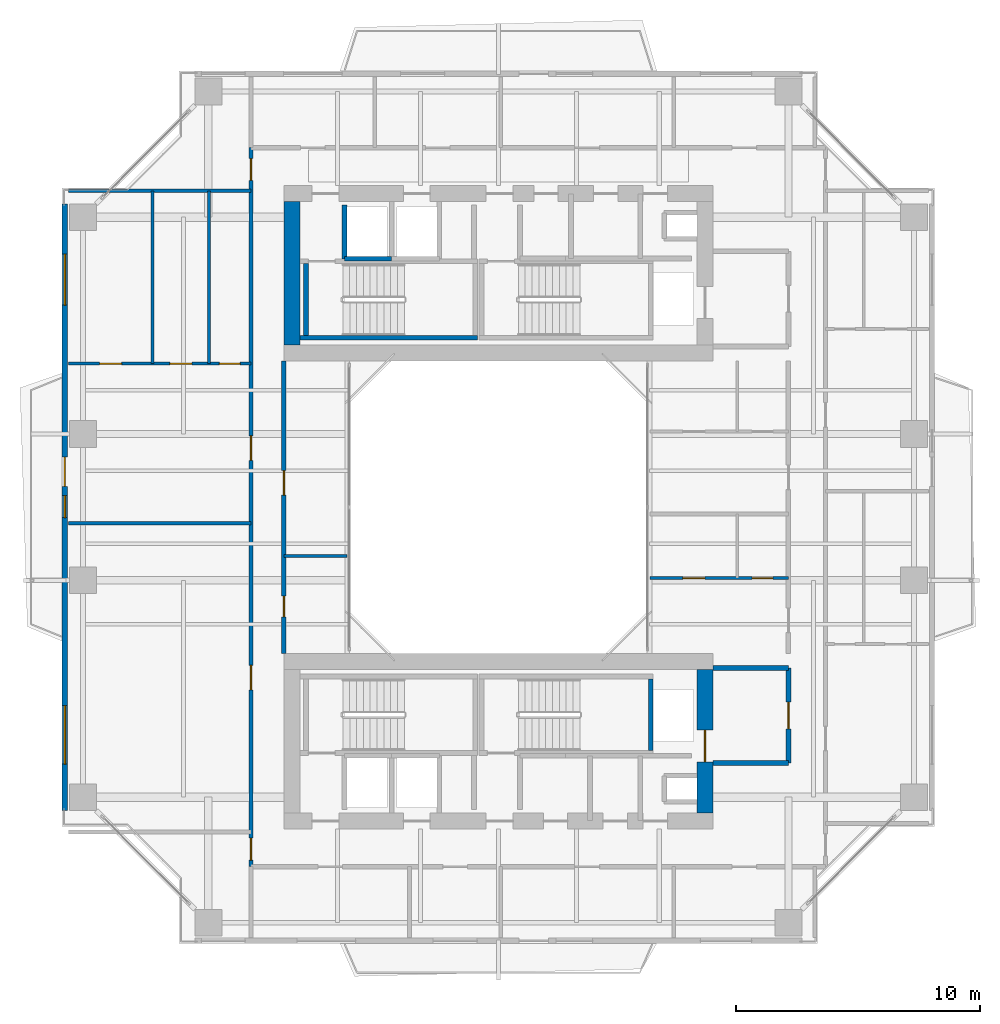
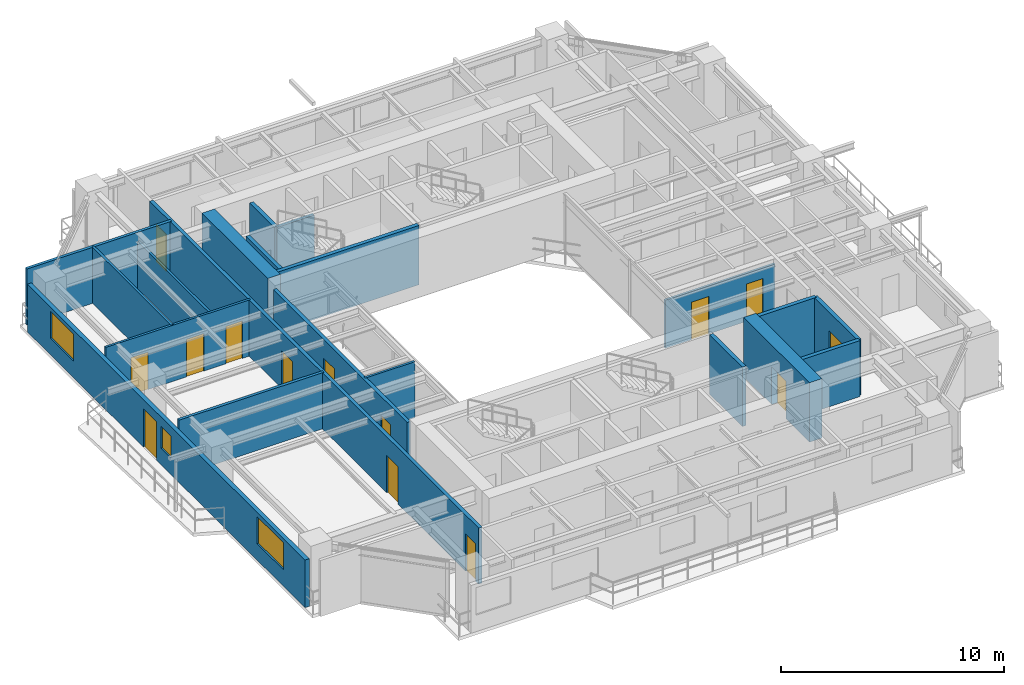
# One storey, part 11 of 17: 20 walls, 14 doors, 3 windows, 17 openings.
"""IFC4 building model written with IfcOpenShell, lengths in metres."""

from ifc_helpers import new_model, si_unit, direction, frame, frame_2d, origin, place, context, subcontext, project, spatial, rectangle, extrude, source, transform, mapped, material, layer, layer_set, type_object, element, fill, save


model = new_model("IFC4")

# Units and contexts
model_context = context("Model", 3, precision=1e-05, world=origin(), true_north=direction((0.0, 1.0)))
body_context = subcontext(model_context, "Body", "Model", "MODEL_VIEW")
ifc_project = project(units=[si_unit("LENGTHUNIT", "METRE"), si_unit("AREAUNIT", "SQUARE_METRE"), si_unit("VOLUMEUNIT", "CUBIC_METRE"), si_unit("PLANEANGLEUNIT", "RADIAN"), si_unit("MASSUNIT", "GRAM", prefix="KILO"), si_unit("THERMODYNAMICTEMPERATUREUNIT", "KELVIN"), si_unit("POWERUNIT", "WATT")], contexts=[model_context])

# Site, building, storey
site_placement = place(None, origin())
site = spatial("IfcSite", under=ifc_project, at=site_placement, CompositionType="ELEMENT")
building_placement = place(site_placement, origin())
building = spatial("IfcBuilding", under=site, at=building_placement, Name="Qiaomeng Ring Towers", CompositionType="ELEMENT")
storey_placement = place(building_placement, frame((0.0, 0.0, 119.75)))
storey = spatial("IfcBuildingStorey", under=building, at=storey_placement, Name="L34", CompositionType="ELEMENT", Elevation=119.75)

# Wall, openings, windows, door
ifc_material_1 = material(Name="Precast concrete C40", Category="concrete")
ifc_layer_1 = layer(ifc_material_1, 0.219970703125, Name="Precast concrete C40")
ifc_layer_set_1 = layer_set([ifc_layer_1], Name="Precast concrete C40")
wall_type_1 = type_object("IfcWallType", Name="ARC-WL-EW2", PredefinedType="STANDARD", material=ifc_layer_set_1)
wall_1_placement = place(storey_placement, frame((1.2099609375, 10.550048828125, 0.0), z_axis=(0.0, 0.0, 1.0), x_axis=(0.0, 1.0, 0.0)))
wall_1 = element("IfcWall", 1, at=wall_1_placement, inside=storey, type_object=wall_type_1, Name="L34 Tower 1 W Exterior Wall", PredefinedType="STANDARD", context=body_context, shape_type="SweptSolid", body=[
    extrude(rectangle(XDim=24.89990234375, YDim=0.219970703125, at=frame_2d((12.449951171875, 0.0))), origin(), (0.0, 0.0, 1.0), 2.610107421875),
])
opening_1_placement = place(wall_1_placement, frame((13.300048828125, 0.0, 0.0)))
opening_1 = element("IfcOpeningElement", 2, at=opening_1_placement, cuts=wall_1, Name="Opening BD1", PredefinedType="OPENING", context=body_context, shape_type="SweptSolid", body=[
    extrude(rectangle(XDim=1.199951171875, YDim=2.10009765625, at=frame_2d((0.60009765625, 1.050048828125))), frame((0.0, 0.119873046875, 0.0), z_axis=(0.0, -1.0, 0.0), x_axis=(1.0, 0.0, 0.0)), (0.0, 0.0, 1.0), 0.239990234375),
])
opening_2_placement = place(wall_1_placement, frame((1.912109375, 0.0, 0.89990234375)))
opening_2 = element("IfcOpeningElement", 3, at=opening_2_placement, cuts=wall_1, Name="Opening WN6", PredefinedType="OPENING", context=body_context, shape_type="SweptSolid", body=[
    extrude(rectangle(XDim=2.39990234375, YDim=1.47998046875, at=frame_2d((1.199951171875, 0.739990234375))), frame((0.0, 0.119873046875, 0.0), z_axis=(0.0, -1.0, 0.0), x_axis=(1.0, 0.0, 0.0)), (0.0, 0.0, 1.0), 0.239990234375),
])
opening_3_placement = place(wall_1_placement, frame((20.737060546875, 0.0, 0.89990234375)))
opening_3 = element("IfcOpeningElement", 4, at=opening_3_placement, cuts=wall_1, Name="Opening WN4", PredefinedType="OPENING", context=body_context, shape_type="SweptSolid", body=[
    extrude(rectangle(XDim=2.10009765625, YDim=1.47998046875, at=frame_2d((1.050048828125, 0.739990234375))), frame((0.0, 0.119873046875, 0.0), z_axis=(0.0, -1.0, 0.0), x_axis=(1.0, 0.0, 0.0)), (0.0, 0.0, 1.0), 0.239990234375),
])
opening_4_placement = place(wall_1_placement, frame((12.02490234375, 0.0, 0.89990234375)))
opening_4 = element("IfcOpeningElement", 5, at=opening_4_placement, cuts=wall_1, Name="Opening WN5", PredefinedType="OPENING", context=body_context, shape_type="SweptSolid", body=[
    extrude(rectangle(XDim=0.89990234375, YDim=1.199951171875, at=frame_2d((0.449951171875, 0.60009765625))), frame((0.0, 0.119873046875, 0.0), z_axis=(0.0, -1.0, 0.0), x_axis=(1.0, 0.0, 0.0)), (0.0, 0.0, 1.0), 0.239990234375),
])
ifc_material_2 = material(Name="Low-E dark-grey laminated double glazing", Category="glass")
window_type_1 = type_object("IfcWindowType", Name="ARC-WN-4", PartitioningType="TRIPLE_PANEL_VERTICAL", PredefinedType="WINDOW", material=ifc_material_2)
shared_shape_1 = source(origin(), body_context, "Body", "SweptSolid", [
    extrude(rectangle(XDim=2.10009765625, YDim=1.47998046875, at=frame_2d((1.050048828125, 0.739990234375))), frame((0.0, 0.030029296875, 0.0), z_axis=(0.0, -1.0, 0.0), x_axis=(1.0, 0.0, 0.0)), (0.0, 0.0, 1.0), 0.06005859375),
])
window_1_placement = place(opening_3_placement, origin())
window_1 = element("IfcWindow", 6, at=window_1_placement, inside=storey, type_object=window_type_1, Name="L34 Exterior Window WN4", OverallHeight=1.47998046875, OverallWidth=2.10009765625, PartitioningType="TRIPLE_PANEL_VERTICAL", PredefinedType="WINDOW", context=body_context, shape_type="MappedRepresentation", body=[
    mapped(shared_shape_1, transform((0.0, 0.0, 0.0), x_axis=(1.0, 0.0, 0.0), y_axis=(0.0, 1.0, 0.0), z_axis=(0.0, 0.0, 1.0), scale=1.0)),
])
fill(opening_3, window_1)
window_type_2 = type_object("IfcWindowType", Name="ARC-WN-6", PartitioningType="TRIPLE_PANEL_VERTICAL", PredefinedType="WINDOW", material=ifc_material_2)
shared_shape_2 = source(origin(), body_context, "Body", "SweptSolid", [
    extrude(rectangle(XDim=2.39990234375, YDim=1.47998046875, at=frame_2d((1.199951171875, 0.739990234375))), frame((0.0, 0.030029296875, 0.0), z_axis=(0.0, -1.0, 0.0), x_axis=(1.0, 0.0, 0.0)), (0.0, 0.0, 1.0), 0.06005859375),
])
window_2_placement = place(opening_2_placement, origin())
window_2 = element("IfcWindow", 7, at=window_2_placement, inside=storey, type_object=window_type_2, Name="L34 Exterior Window WN6", OverallHeight=1.47998046875, OverallWidth=2.39990234375, PartitioningType="TRIPLE_PANEL_VERTICAL", PredefinedType="WINDOW", context=body_context, shape_type="MappedRepresentation", body=[
    mapped(shared_shape_2, transform((0.0, 0.0, 0.0), x_axis=(1.0, 0.0, 0.0), y_axis=(0.0, 1.0, 0.0), z_axis=(0.0, 0.0, 1.0), scale=1.0)),
])
fill(opening_2, window_2)
door_type_1 = type_object("IfcDoorType", Name="ARC-DR-BD1", OperationType="NOTDEFINED", PredefinedType="DOOR", material=ifc_material_2)
shared_shape_3 = source(origin(), body_context, "Body", "SweptSolid", [
    extrude(rectangle(XDim=1.199951171875, YDim=2.10009765625, at=frame_2d((0.60009765625, 1.050048828125))), frame((0.0, 0.02490234375, 0.0), z_axis=(0.0, -1.0, 0.0), x_axis=(1.0, 0.0, 0.0)), (0.0, 0.0, 1.0), 0.050048828125),
])
door_1_placement = place(opening_1_placement, frame((1.199951171875, 0.0, 0.0), z_axis=(0.0, 0.0, 1.0), x_axis=(-1.0, 0.0, 0.0)))
door_1 = element("IfcDoor", 8, at=door_1_placement, inside=storey, type_object=door_type_1, Name="L34 W Balcony Glazed Door", OperationType="SINGLE_SWING_LEFT", OverallHeight=2.10009765625, OverallWidth=1.199951171875, PredefinedType="DOOR", context=body_context, shape_type="MappedRepresentation", body=[
    mapped(shared_shape_3, transform((0.0, 0.0, 0.0), x_axis=(1.0, 0.0, 0.0), y_axis=(0.0, 1.0, 0.0), z_axis=(0.0, 0.0, 1.0), scale=1.0)),
])
fill(opening_1, door_1)
window_type_3 = type_object("IfcWindowType", Name="ARC-WN-5", PartitioningType="SINGLE_PANEL", PredefinedType="WINDOW", material=ifc_material_2)
shared_shape_4 = source(origin(), body_context, "Body", "SweptSolid", [
    extrude(rectangle(XDim=0.89990234375, YDim=1.199951171875, at=frame_2d((0.449951171875, 0.60009765625))), frame((0.0, 0.030029296875, 0.0), z_axis=(0.0, -1.0, 0.0), x_axis=(1.0, 0.0, 0.0)), (0.0, 0.0, 1.0), 0.06005859375),
])
window_3_placement = place(opening_4_placement, origin())
window_3 = element("IfcWindow", 9, at=window_3_placement, inside=storey, type_object=window_type_3, Name="L34 Exterior Window WN5", OverallHeight=1.199951171875, OverallWidth=0.89990234375, PartitioningType="SINGLE_PANEL", PredefinedType="WINDOW", context=body_context, shape_type="MappedRepresentation", body=[
    mapped(shared_shape_4, transform((0.0, 0.0, 0.0), x_axis=(1.0, 0.0, 0.0), y_axis=(0.0, 1.0, 0.0), z_axis=(0.0, 0.0, 1.0), scale=1.0)),
])
fill(opening_4, window_3)

# Walls
ifc_material_3 = material(Name="Autoclaved aerated concrete block", Category="concrete")
ifc_layer_2 = layer(ifc_material_3, 0.199951171875, Name="Autoclaved aerated concrete block")
ifc_layer_set_2 = layer_set([ifc_layer_2], Name="Autoclaved aerated concrete block")
wall_type_2 = type_object("IfcWallType", Name="ARC-WL-PW1", PredefinedType="PARTITIONING", material=ifc_layer_set_2)
for number, where, z_axis, x_axis, name in (
    (10, (27.800048828125, 16.39990234375, 0.0), (0.0, 0.0, 1.0), (1.0, 0.0, 0.0), "L34 Interior Wall PW1"),
    (11, (27.800048828125, 12.5, 0.0), (0.0, 0.0, 1.0), (1.0, 0.0, 0.0), "L34 Interior Wall PW1"),
):
    element("IfcWall", number, at=place(storey_placement, frame(where, z_axis=z_axis, x_axis=x_axis)), inside=storey, type_object=wall_type_2, Name=name, PredefinedType="PARTITIONING", context=body_context, shape_type="SweptSolid", body=[
        extrude(rectangle(XDim=3.099853515625, YDim=0.199951171875, at=frame_2d((1.5498046875, 0.0))), origin(), (0.0, 0.0, 1.0), 3.070068359375),
    ])

# Wall, opening, door
wall_2_placement = place(storey_placement, frame((30.89990234375, 12.5, 0.0), z_axis=(0.0, 0.0, 1.0), x_axis=(0.0, 1.0, 0.0)))
wall_2 = element("IfcWall", 12, at=wall_2_placement, inside=storey, type_object=wall_type_2, Name="L34 Interior Wall PW1", PredefinedType="PARTITIONING", context=body_context, shape_type="SweptSolid", body=[
    extrude(rectangle(XDim=3.89990234375, YDim=0.199951171875, at=frame_2d((1.949951171875, 0.0))), origin(), (0.0, 0.0, 1.0), 3.070068359375),
])
opening_5_placement = place(wall_2_placement, frame((1.39990234375, 0.0, 0.0)))
opening_5 = element("IfcOpeningElement", 13, at=opening_5_placement, cuts=wall_2, Name="Opening FD3", PredefinedType="OPENING", context=body_context, shape_type="SweptSolid", body=[
    extrude(rectangle(XDim=1.10009765625, YDim=2.050048828125, at=frame_2d((0.550048828125, 1.02490234375))), frame((0.0, 0.10986328125, 0.0), z_axis=(0.0, -1.0, 0.0), x_axis=(1.0, 0.0, 0.0)), (0.0, 0.0, 1.0), 0.219970703125),
])
ifc_material_4 = material(Name="Galvanised steel", Category="steel")
door_type_2 = type_object("IfcDoorType", Name="ARC-DR-FD3", OperationType="NOTDEFINED", PredefinedType="DOOR", material=ifc_material_4)
shared_shape_5 = source(origin(), body_context, "Body", "SweptSolid", [
    extrude(rectangle(XDim=1.10009765625, YDim=2.050048828125, at=frame_2d((0.550048828125, 1.02490234375))), frame((0.0, 0.02490234375, 0.0), z_axis=(0.0, -1.0, 0.0), x_axis=(1.0, 0.0, 0.0)), (0.0, 0.0, 1.0), 0.050048828125),
])
door_2_placement = place(opening_5_placement, origin())
door_2 = element("IfcDoor", 14, at=door_2_placement, inside=storey, type_object=door_type_2, Name="L34 South FF Lobby Door", OperationType="SINGLE_SWING_RIGHT", OverallHeight=2.050048828125, OverallWidth=1.10009765625, PredefinedType="DOOR", context=body_context, shape_type="MappedRepresentation", body=[
    mapped(shared_shape_5, transform((0.0, 0.0, 0.0), x_axis=(1.0, 0.0, 0.0), y_axis=(0.0, 1.0, 0.0), z_axis=(0.0, 0.0, 1.0), scale=1.0)),
])
fill(opening_5, door_2)

# Wall
wall_3_placement = place(storey_placement, frame((12.679931640625, 33.18994140625, 0.0), z_axis=(0.0, 0.0, 1.0), x_axis=(0.0, 1.0, 0.0)))
element("IfcWall", 15, at=wall_3_placement, inside=storey, type_object=wall_type_2, Name="L34 Interior Wall PW1", PredefinedType="PARTITIONING", context=body_context, shape_type="SweptSolid", body=[
    extrude(rectangle(XDim=2.2099609375, YDim=0.199951171875, at=frame_2d((1.10498046875, 0.0))), origin(), (0.0, 0.0, 1.0), 3.070068359375),
])

# Wall, openings, doors
ifc_layer_3 = layer(ifc_material_3, 0.179931640625, Name="Autoclaved aerated concrete block")
ifc_layer_set_3 = layer_set([ifc_layer_3], Name="Autoclaved aerated concrete block")
wall_type_3 = type_object("IfcWallType", Name="ARC-WL-PW2", PredefinedType="PARTITIONING", material=ifc_layer_set_3)
wall_4_placement = place(storey_placement, frame((8.85009765625, 8.25, 0.0), z_axis=(0.0, 0.0, 1.0), x_axis=(0.0, 1.0, 0.0)))
wall_4 = element("IfcWall", 16, at=wall_4_placement, inside=storey, type_object=wall_type_3, Name="L34 Interior Wall PW2", PredefinedType="PARTITIONING", context=body_context, shape_type="SweptSolid", body=[
    extrude(rectangle(XDim=29.5, YDim=0.179931640625, at=frame_2d((14.75, 0.0))), origin(), (0.0, 0.0, 1.0), 3.070068359375),
])
opening_6_placement = place(wall_4_placement, frame((28.155029296875, 0.0, 0.0)))
opening_6 = element("IfcOpeningElement", 17, at=opening_6_placement, cuts=wall_4, Name="Opening ID1", PredefinedType="OPENING", context=body_context, shape_type="SweptSolid", body=[
    extrude(rectangle(XDim=0.89990234375, YDim=2.050048828125, at=frame_2d((0.449951171875, 1.02490234375))), frame((0.0, 0.099853515625, 0.0), z_axis=(0.0, -1.0, 0.0), x_axis=(1.0, 0.0, 0.0)), (0.0, 0.0, 1.0), 0.199951171875),
])
opening_7_placement = place(wall_4_placement, frame((0.27001953125, 0.0, 0.0)))
opening_7 = element("IfcOpeningElement", 18, at=opening_7_placement, cuts=wall_4, Name="Opening ID1", PredefinedType="OPENING", context=body_context, shape_type="SweptSolid", body=[
    extrude(rectangle(XDim=0.89990234375, YDim=2.050048828125, at=frame_2d((0.449951171875, 1.02490234375))), frame((0.0, 0.099853515625, 0.0), z_axis=(0.0, -1.0, 0.0), x_axis=(1.0, 0.0, 0.0)), (0.0, 0.0, 1.0), 0.199951171875),
])
opening_8_placement = place(wall_4_placement, frame((7.2548828125, 0.0, 0.0)))
opening_8 = element("IfcOpeningElement", 19, at=opening_8_placement, cuts=wall_4, Name="Opening FD4", PredefinedType="OPENING", context=body_context, shape_type="SweptSolid", body=[
    extrude(rectangle(XDim=1.0, YDim=2.050048828125, at=frame_2d((0.5, 1.02490234375))), frame((0.0, 0.099853515625, 0.0), z_axis=(0.0, -1.0, 0.0), x_axis=(1.0, 0.0, 0.0)), (0.0, 0.0, 1.0), 0.199951171875),
])
opening_9_placement = place(wall_4_placement, frame((16.675048828125, 0.0, 0.0)))
opening_9 = element("IfcOpeningElement", 20, at=opening_9_placement, cuts=wall_4, Name="Opening FD4", PredefinedType="OPENING", context=body_context, shape_type="SweptSolid", body=[
    extrude(rectangle(XDim=1.0, YDim=2.050048828125, at=frame_2d((0.5, 1.02490234375))), frame((0.0, 0.099853515625, 0.0), z_axis=(0.0, -1.0, 0.0), x_axis=(1.0, 0.0, 0.0)), (0.0, 0.0, 1.0), 0.199951171875),
])
ifc_material_5 = material(Name="Engineered fire-rated oak timber", Category="wood")
door_type_3 = type_object("IfcDoorType", Name="ARC-DR-FD4", OperationType="NOTDEFINED", PredefinedType="DOOR", material=ifc_material_5)
shared_shape_6 = source(origin(), body_context, "Body", "SweptSolid", [
    extrude(rectangle(XDim=1.0, YDim=2.050048828125, at=frame_2d((0.5, 1.02490234375))), frame((0.0, 0.02490234375, 0.0), z_axis=(0.0, -1.0, 0.0), x_axis=(1.0, 0.0, 0.0)), (0.0, 0.0, 1.0), 0.050048828125),
])
door_3_placement = place(opening_8_placement, origin())
door_3 = element("IfcDoor", 21, at=door_3_placement, inside=storey, type_object=door_type_3, Name="L34 Door FD4", OperationType="SINGLE_SWING_LEFT", OverallHeight=2.050048828125, OverallWidth=1.0, PredefinedType="DOOR", context=body_context, shape_type="MappedRepresentation", body=[
    mapped(shared_shape_6, transform((0.0, 0.0, 0.0), x_axis=(1.0, 0.0, 0.0), y_axis=(0.0, 1.0, 0.0), z_axis=(0.0, 0.0, 1.0), scale=1.0)),
])
fill(opening_8, door_3)
door_4_placement = place(opening_9_placement, origin())
door_4 = element("IfcDoor", 22, at=door_4_placement, inside=storey, type_object=door_type_3, Name="L34 Door FD4", OperationType="SINGLE_SWING_LEFT", OverallHeight=2.050048828125, OverallWidth=1.0, PredefinedType="DOOR", context=body_context, shape_type="MappedRepresentation", body=[
    mapped(shared_shape_6, transform((0.0, 0.0, 0.0), x_axis=(1.0, 0.0, 0.0), y_axis=(0.0, 1.0, 0.0), z_axis=(0.0, 0.0, 1.0), scale=1.0)),
])
fill(opening_9, door_4)
ifc_material_6 = material(Name="Engineered oak timber", Category="wood")
door_type_4 = type_object("IfcDoorType", Name="ARC-DR-ID1", OperationType="NOTDEFINED", PredefinedType="DOOR", material=ifc_material_6)
shared_shape_7 = source(origin(), body_context, "Body", "SweptSolid", [
    extrude(rectangle(XDim=0.89990234375, YDim=2.050048828125, at=frame_2d((0.449951171875, 1.02490234375))), frame((0.0, 0.02490234375, 0.0), z_axis=(0.0, -1.0, 0.0), x_axis=(1.0, 0.0, 0.0)), (0.0, 0.0, 1.0), 0.050048828125),
])
door_5_placement = place(opening_6_placement, origin())
door_5 = element("IfcDoor", 23, at=door_5_placement, inside=storey, type_object=door_type_4, Name="L34 Door ID1", OperationType="SINGLE_SWING_LEFT", OverallHeight=2.050048828125, OverallWidth=0.89990234375, PredefinedType="DOOR", context=body_context, shape_type="MappedRepresentation", body=[
    mapped(shared_shape_7, transform((0.0, 0.0, 0.0), x_axis=(1.0, 0.0, 0.0), y_axis=(0.0, 1.0, 0.0), z_axis=(0.0, 0.0, 1.0), scale=1.0)),
])
fill(opening_6, door_5)
door_6_placement = place(opening_7_placement, origin())
door_6 = element("IfcDoor", 24, at=door_6_placement, inside=storey, type_object=door_type_4, Name="L34 Door ID1", OperationType="SINGLE_SWING_RIGHT", OverallHeight=2.050048828125, OverallWidth=0.89990234375, PredefinedType="DOOR", context=body_context, shape_type="MappedRepresentation", body=[
    mapped(shared_shape_7, transform((0.0, 0.0, 0.0), x_axis=(1.0, 0.0, 0.0), y_axis=(0.0, 1.0, 0.0), z_axis=(0.0, 0.0, 1.0), scale=1.0)),
])
fill(opening_7, door_6)

wall_5_placement = place(storey_placement, frame((10.199951171875, 17.0, 0.0), z_axis=(0.0, 0.0, 1.0), x_axis=(0.0, 1.0, 0.0)))
wall_5 = element("IfcWall", 25, at=wall_5_placement, inside=storey, type_object=wall_type_3, Name="L34 Interior Wall PW2", PredefinedType="PARTITIONING", context=body_context, shape_type="SweptSolid", body=[
    extrude(rectangle(XDim=12.0, YDim=0.179931640625, at=frame_2d((6.0, 0.0))), origin(), (0.0, 0.0, 1.0), 3.070068359375),
])
opening_10_placement = place(wall_5_placement, frame((1.5, 0.0, 0.0)))
opening_10 = element("IfcOpeningElement", 26, at=opening_10_placement, cuts=wall_5, Name="Opening ID2", PredefinedType="OPENING", context=body_context, shape_type="SweptSolid", body=[
    extrude(rectangle(XDim=0.85009765625, YDim=2.050048828125, at=frame_2d((0.425048828125, 1.02490234375))), frame((0.0, 0.099853515625, 0.0), z_axis=(0.0, -1.0, 0.0), x_axis=(1.0, 0.0, 0.0)), (0.0, 0.0, 1.0), 0.199951171875),
])
opening_11_placement = place(wall_5_placement, frame((6.5, 0.0, 0.0)))
opening_11 = element("IfcOpeningElement", 27, at=opening_11_placement, cuts=wall_5, Name="Opening FD4", PredefinedType="OPENING", context=body_context, shape_type="SweptSolid", body=[
    extrude(rectangle(XDim=1.0, YDim=2.050048828125, at=frame_2d((0.5, 1.02490234375))), frame((0.0, 0.099853515625, 0.0), z_axis=(0.0, -1.0, 0.0), x_axis=(1.0, 0.0, 0.0)), (0.0, 0.0, 1.0), 0.199951171875),
])
door_7_placement = place(opening_11_placement, origin())
door_7 = element("IfcDoor", 28, at=door_7_placement, inside=storey, type_object=door_type_3, Name="L34 Door FD4", OperationType="SINGLE_SWING_LEFT", OverallHeight=2.050048828125, OverallWidth=1.0, PredefinedType="DOOR", context=body_context, shape_type="MappedRepresentation", body=[
    mapped(shared_shape_6, transform((0.0, 0.0, 0.0), x_axis=(1.0, 0.0, 0.0), y_axis=(0.0, 1.0, 0.0), z_axis=(0.0, 0.0, 1.0), scale=1.0)),
])
fill(opening_11, door_7)
ifc_material_7 = material(Name="Moisture-resistant engineered timber", Category="wood")
door_type_5 = type_object("IfcDoorType", Name="ARC-DR-ID2", OperationType="NOTDEFINED", PredefinedType="DOOR", material=ifc_material_7)
shared_shape_8 = source(origin(), body_context, "Body", "SweptSolid", [
    extrude(rectangle(XDim=0.85009765625, YDim=2.050048828125, at=frame_2d((0.425048828125, 1.02490234375))), frame((0.0, 0.02490234375, 0.0), z_axis=(0.0, -1.0, 0.0), x_axis=(1.0, 0.0, 0.0)), (0.0, 0.0, 1.0), 0.050048828125),
])
door_8_placement = place(opening_10_placement, origin())
door_8 = element("IfcDoor", 29, at=door_8_placement, inside=storey, type_object=door_type_5, Name="L34 Door ID2", OperationType="SINGLE_SWING_RIGHT", OverallHeight=2.050048828125, OverallWidth=0.85009765625, PredefinedType="DOOR", context=body_context, shape_type="MappedRepresentation", body=[
    mapped(shared_shape_8, transform((0.0, 0.0, 0.0), x_axis=(1.0, 0.0, 0.0), y_axis=(0.0, 1.0, 0.0), z_axis=(0.0, 0.0, 1.0), scale=1.0)),
])
fill(opening_10, door_8)

# Walls
ifc_material_8 = material(Name="Gypsum fireboard steel-stud partition", Category="steel")
ifc_layer_4 = layer(ifc_material_8, 0.14990234375, Name="Gypsum fireboard steel-stud partition")
ifc_layer_set_4 = layer_set([ifc_layer_4], Name="Gypsum fireboard steel-stud partition")
wall_type_4 = type_object("IfcWallType", Name="ARC-WL-PW3", PredefinedType="PARTITIONING", material=ifc_layer_set_4)
for number, where, z_axis, x_axis, name in (
    (30, (1.35009765625, 35.97998046875, 0.0), (0.0, 0.0, 1.0), (1.0, 0.0, 0.0), "L34 Interior Wall PW3"),
    (31, (1.35009765625, 22.340087890625, 0.0), (0.0, 0.0, 1.0), (1.0, 0.0, 0.0), "L34 Interior Wall PW3"),
):
    element("IfcWall", number, at=place(storey_placement, frame(where, z_axis=z_axis, x_axis=x_axis)), inside=storey, type_object=wall_type_4, Name=name, PredefinedType="PARTITIONING", context=body_context, shape_type="SweptSolid", body=[
        extrude(rectangle(XDim=7.5, YDim=0.14990234375, at=frame_2d((3.75, 0.0))), origin(), (0.0, 0.0, 1.0), 3.070068359375),
    ])

# Wall, openings, doors
ifc_material_9 = material(Name="Moisture-resistant gypsum steel-stud partition", Category="steel")
ifc_layer_5 = layer(ifc_material_9, 0.1201171875, Name="Moisture-resistant gypsum steel-stud partition")
ifc_layer_set_5 = layer_set([ifc_layer_5], Name="Moisture-resistant gypsum steel-stud partition")
wall_type_5 = type_object("IfcWallType", Name="ARC-WL-PW4", PredefinedType="PLUMBINGWALL", material=ifc_layer_set_5)
wall_6_placement = place(storey_placement, frame((1.35009765625, 28.889892578125, 0.0), z_axis=(0.0, 0.0, 1.0), x_axis=(1.0, 0.0, 0.0)))
wall_6 = element("IfcWall", 32, at=wall_6_placement, inside=storey, type_object=wall_type_5, Name="L34 Interior Wall PW4", PredefinedType="PLUMBINGWALL", context=body_context, shape_type="SweptSolid", body=[
    extrude(rectangle(XDim=7.5, YDim=0.1201171875, at=frame_2d((3.75, 0.0))), origin(), (0.0, 0.0, 1.0), 3.070068359375),
])
opening_12_placement = place(wall_6_placement, frame((1.2900390625, 0.0, 0.0)))
opening_12 = element("IfcOpeningElement", 33, at=opening_12_placement, cuts=wall_6, Name="Opening ID1", PredefinedType="OPENING", context=body_context, shape_type="SweptSolid", body=[
    extrude(rectangle(XDim=0.89990234375, YDim=2.050048828125, at=frame_2d((0.449951171875, 1.02490234375))), frame((0.0, 0.070068359375, 0.0), z_axis=(0.0, -1.0, 0.0), x_axis=(1.0, 0.0, 0.0)), (0.0, 0.0, 1.0), 0.14013671875),
])
opening_13_placement = place(wall_6_placement, frame((4.169921875, 0.0, 0.0)))
opening_13 = element("IfcOpeningElement", 34, at=opening_13_placement, cuts=wall_6, Name="Opening ID1", PredefinedType="OPENING", context=body_context, shape_type="SweptSolid", body=[
    extrude(rectangle(XDim=0.89990234375, YDim=2.050048828125, at=frame_2d((0.449951171875, 1.02490234375))), frame((0.0, 0.070068359375, 0.0), z_axis=(0.0, -1.0, 0.0), x_axis=(1.0, 0.0, 0.0)), (0.0, 0.0, 1.0), 0.14013671875),
])
opening_14_placement = place(wall_6_placement, frame((6.205078125, 0.0, 0.0)))
opening_14 = element("IfcOpeningElement", 35, at=opening_14_placement, cuts=wall_6, Name="Opening ID2", PredefinedType="OPENING", context=body_context, shape_type="SweptSolid", body=[
    extrude(rectangle(XDim=0.85009765625, YDim=2.050048828125, at=frame_2d((0.425048828125, 1.02490234375))), frame((0.0, 0.070068359375, 0.0), z_axis=(0.0, -1.0, 0.0), x_axis=(1.0, 0.0, 0.0)), (0.0, 0.0, 1.0), 0.14013671875),
])
door_9_placement = place(opening_14_placement, origin())
door_9 = element("IfcDoor", 36, at=door_9_placement, inside=storey, type_object=door_type_5, Name="L34 Door ID2", OperationType="SINGLE_SWING_RIGHT", OverallHeight=2.050048828125, OverallWidth=0.85009765625, PredefinedType="DOOR", context=body_context, shape_type="MappedRepresentation", body=[
    mapped(shared_shape_8, transform((0.0, 0.0, 0.0), x_axis=(1.0, 0.0, 0.0), y_axis=(0.0, 1.0, 0.0), z_axis=(0.0, 0.0, 1.0), scale=1.0)),
])
fill(opening_14, door_9)
door_10_placement = place(opening_12_placement, origin())
door_10 = element("IfcDoor", 37, at=door_10_placement, inside=storey, type_object=door_type_4, Name="L34 Door ID1", OperationType="SINGLE_SWING_RIGHT", OverallHeight=2.050048828125, OverallWidth=0.89990234375, PredefinedType="DOOR", context=body_context, shape_type="MappedRepresentation", body=[
    mapped(shared_shape_7, transform((0.0, 0.0, 0.0), x_axis=(1.0, 0.0, 0.0), y_axis=(0.0, 1.0, 0.0), z_axis=(0.0, 0.0, 1.0), scale=1.0)),
])
fill(opening_12, door_10)
door_11_placement = place(opening_13_placement, origin())
door_11 = element("IfcDoor", 38, at=door_11_placement, inside=storey, type_object=door_type_4, Name="L34 Door ID1", OperationType="SINGLE_SWING_LEFT", OverallHeight=2.050048828125, OverallWidth=0.89990234375, PredefinedType="DOOR", context=body_context, shape_type="MappedRepresentation", body=[
    mapped(shared_shape_7, transform((0.0, 0.0, 0.0), x_axis=(1.0, 0.0, 0.0), y_axis=(0.0, 1.0, 0.0), z_axis=(0.0, 0.0, 1.0), scale=1.0)),
])
fill(opening_13, door_11)

# Walls
wall_7_placement = place(storey_placement, frame((4.81005859375, 28.889892578125, 0.0), z_axis=(0.0, 0.0, 1.0), x_axis=(0.0, 1.0, 0.0)))
element("IfcWall", 39, at=wall_7_placement, inside=storey, type_object=wall_type_5, Name="L34 Interior Wall PW4", PredefinedType="PLUMBINGWALL", context=body_context, shape_type="SweptSolid", body=[
    extrude(rectangle(XDim=7.090087890625, YDim=0.1201171875, at=frame_2d((3.544921875, 0.0))), origin(), (0.0, 0.0, 1.0), 3.070068359375),
])
wall_8_placement = place(storey_placement, frame((7.1298828125, 28.889892578125, 0.0), z_axis=(0.0, 0.0, 1.0), x_axis=(0.0, 1.0, 0.0)))
element("IfcWall", 40, at=wall_8_placement, inside=storey, type_object=wall_type_5, Name="L34 Interior Wall PW4", PredefinedType="PLUMBINGWALL", context=body_context, shape_type="SweptSolid", body=[
    extrude(rectangle(XDim=7.090087890625, YDim=0.1201171875, at=frame_2d((3.544921875, 0.0))), origin(), (0.0, 0.0, 1.0), 2.576904296875),
])
wall_9_placement = place(storey_placement, frame((10.199951171875, 21.0, 0.0), z_axis=(0.0, 0.0, 1.0), x_axis=(1.0, 0.0, 0.0)))
element("IfcWall", 41, at=wall_9_placement, inside=storey, type_object=wall_type_5, Name="L34 Interior Wall PW4", PredefinedType="PLUMBINGWALL", context=body_context, shape_type="SweptSolid", body=[
    extrude(rectangle(XDim=2.580078125, YDim=0.1201171875, at=frame_2d((1.2900390625, 0.0))), origin(), (0.0, 0.0, 1.0), 3.070068359375),
])

# Wall, openings, doors
wall_10_placement = place(storey_placement, frame((25.219970703125, 20.090087890625, 0.0), z_axis=(0.0, 0.0, 1.0), x_axis=(1.0, 0.0, 0.0)))
wall_10 = element("IfcWall", 42, at=wall_10_placement, inside=storey, type_object=wall_type_5, Name="L34 Interior Wall PW4", PredefinedType="PLUMBINGWALL", context=body_context, shape_type="SweptSolid", body=[
    extrude(rectangle(XDim=5.679931640625, YDim=0.1201171875, at=frame_2d((2.83984375, 0.0))), origin(), (0.0, 0.0, 1.0), 2.625),
])
opening_15_placement = place(wall_10_placement, frame((1.35009765625, 0.0, 0.0)))
opening_15 = element("IfcOpeningElement", 43, at=opening_15_placement, cuts=wall_10, Name="Opening ID1", PredefinedType="OPENING", context=body_context, shape_type="SweptSolid", body=[
    extrude(rectangle(XDim=0.89990234375, YDim=2.050048828125, at=frame_2d((0.449951171875, 1.02490234375))), frame((0.0, 0.070068359375, 0.0), z_axis=(0.0, -1.0, 0.0), x_axis=(1.0, 0.0, 0.0)), (0.0, 0.0, 1.0), 0.14013671875),
])
opening_16_placement = place(wall_10_placement, frame((4.195068359375, 0.0, 0.0)))
opening_16 = element("IfcOpeningElement", 44, at=opening_16_placement, cuts=wall_10, Name="Opening ID2", PredefinedType="OPENING", context=body_context, shape_type="SweptSolid", body=[
    extrude(rectangle(XDim=0.85009765625, YDim=2.050048828125, at=frame_2d((0.425048828125, 1.02490234375))), frame((0.0, 0.070068359375, 0.0), z_axis=(0.0, -1.0, 0.0), x_axis=(1.0, 0.0, 0.0)), (0.0, 0.0, 1.0), 0.14013671875),
])
door_12_placement = place(opening_16_placement, origin())
door_12 = element("IfcDoor", 45, at=door_12_placement, inside=storey, type_object=door_type_5, Name="L34 Door ID2", OperationType="SINGLE_SWING_LEFT", OverallHeight=2.050048828125, OverallWidth=0.85009765625, PredefinedType="DOOR", context=body_context, shape_type="MappedRepresentation", body=[
    mapped(shared_shape_8, transform((0.0, 0.0, 0.0), x_axis=(1.0, 0.0, 0.0), y_axis=(0.0, 1.0, 0.0), z_axis=(0.0, 0.0, 1.0), scale=1.0)),
])
fill(opening_16, door_12)
door_13_placement = place(opening_15_placement, origin())
door_13 = element("IfcDoor", 46, at=door_13_placement, inside=storey, type_object=door_type_4, Name="L34 Door ID1", OperationType="SINGLE_SWING_RIGHT", OverallHeight=2.050048828125, OverallWidth=0.89990234375, PredefinedType="DOOR", context=body_context, shape_type="MappedRepresentation", body=[
    mapped(shared_shape_7, transform((0.0, 0.0, 0.0), x_axis=(1.0, 0.0, 0.0), y_axis=(0.0, 1.0, 0.0), z_axis=(0.0, 0.0, 1.0), scale=1.0)),
])
fill(opening_15, door_13)

# Walls
ifc_material_10 = material(Name="Concrete C40", Category="concrete")
ifc_layer_6 = layer(ifc_material_10, 0.199951171875, Name="Concrete C40")
ifc_layer_set_6 = layer_set([ifc_layer_6], Name="Concrete C40")
wall_type_6 = type_object("IfcWallType", Name="STR-WL-STSHAFT", PredefinedType="SHEAR", material=ifc_layer_set_6)
wall_11_placement = place(storey_placement, frame((12.679931640625, 33.199951171875, 0.0), z_axis=(0.0, 0.0, 1.0), x_axis=(1.0, 0.0, 0.0)))
element("IfcWall", 47, at=wall_11_placement, inside=storey, type_object=wall_type_6, Name="L34 Lift LP5 Shaft Back Wall", PredefinedType="SHEAR", context=body_context, shape_type="SweptSolid", body=[
    extrude(rectangle(XDim=1.940185546875, YDim=0.179931640625, at=frame_2d((0.97021484375, 0.0))), origin(), (0.0, 0.0, 1.0), 3.070068359375),
])
wall_12_placement = place(storey_placement, frame((10.85009765625, 29.949951171875, 0.0), z_axis=(0.0, 0.0, 1.0), x_axis=(1.0, 0.0, 0.0)))
element("IfcWall", 48, at=wall_12_placement, inside=storey, type_object=wall_type_6, Name="L34 Stair ST1 South Shaft Shear Wall", PredefinedType="SHEAR", context=body_context, shape_type="SweptSolid", body=[
    extrude(rectangle(XDim=7.2998046875, YDim=0.199951171875, at=frame_2d((3.64990234375, 0.0))), origin(), (0.0, 0.0, 1.0), 3.25),
])
for number, where, z_axis, x_axis, name in (
    (49, (11.10009765625, 30.050048828125, 0.0), (0.0, 0.0, 1.0), (0.0, 1.0, 0.0), "L34 Stair ST1 West Shaft Shear Wall"),
    (50, (25.25, 13.010009765625, 0.0), (0.0, 0.0, 1.0), (0.0, 1.0, 0.0), "L34 Stair ST4 East Shaft Shear Wall"),
):
    element("IfcWall", number, at=place(storey_placement, frame(where, z_axis=z_axis, x_axis=x_axis)), inside=storey, type_object=wall_type_6, Name=name, PredefinedType="SHEAR", context=body_context, shape_type="SweptSolid", body=[
        extrude(rectangle(XDim=2.93994140625, YDim=0.199951171875, at=frame_2d((1.469970703125, 0.0))), origin(), (0.0, 0.0, 1.0), 3.25),
    ])
ifc_material_11 = material(Name="Concrete C55", Category="concrete")
ifc_layer_7 = layer(ifc_material_11, 0.64990234375, Name="Concrete C55")
ifc_layer_set_7 = layer_set([ifc_layer_7], Name="Concrete C55")
wall_type_7 = type_object("IfcWallType", Name="STR-WL-SW2A", PredefinedType="SHEAR", material=ifc_layer_set_7)
wall_13_placement = place(storey_placement, frame((10.52490234375, 29.64990234375, 0.0), z_axis=(0.0, 0.0, 1.0), x_axis=(0.0, 1.0, 0.0)))
element("IfcWall", 51, at=wall_13_placement, inside=storey, type_object=wall_type_7, Name="L34 T1NC west core shear wall", PredefinedType="SHEAR", context=body_context, shape_type="SweptSolid", body=[
    extrude(rectangle(XDim=5.900146484375, YDim=0.64990234375, at=frame_2d((2.9501953125, 0.0))), origin(), (0.0, 0.0, 1.0), 3.25),
])

# Wall, opening, door
wall_14_placement = place(storey_placement, frame((27.47509765625, 10.449951171875, 0.0), z_axis=(0.0, 0.0, 1.0), x_axis=(0.0, 1.0, 0.0)))
wall_14 = element("IfcWall", 52, at=wall_14_placement, inside=storey, type_object=wall_type_7, Name="L34 T1SC east core shear wall", PredefinedType="SHEAR", context=body_context, shape_type="SweptSolid", body=[
    extrude(rectangle(XDim=5.900146484375, YDim=0.64990234375, at=frame_2d((2.9501953125, 0.0))), origin(), (0.0, 0.0, 1.0), 3.25),
])
opening_17_placement = place(wall_14_placement, frame((2.10009765625, 0.0, 0.0)))
opening_17 = element("IfcOpeningElement", 53, at=opening_17_placement, cuts=wall_14, Name="Opening LD2", PredefinedType="OPENING", context=body_context, shape_type="SweptSolid", body=[
    extrude(rectangle(XDim=1.300048828125, YDim=2.050048828125, at=frame_2d((0.64990234375, 1.02490234375))), frame((0.0, 0.3349609375, 0.0), z_axis=(0.0, -1.0, 0.0), x_axis=(1.0, 0.0, 0.0)), (0.0, 0.0, 1.0), 0.669921875),
])
ifc_material_12 = material(Name="Stainless steel 316", Category="steel")
door_type_6 = type_object("IfcDoorType", Name="ARC-DR-LD2", OperationType="NOTDEFINED", PredefinedType="DOOR", material=ifc_material_12)
shared_shape_9 = source(origin(), body_context, "Body", "SweptSolid", [
    extrude(rectangle(XDim=1.300048828125, YDim=2.050048828125, at=frame_2d((0.64990234375, 1.02490234375))), frame((0.0, 0.02490234375, 0.0), z_axis=(0.0, -1.0, 0.0), x_axis=(1.0, 0.0, 0.0)), (0.0, 0.0, 1.0), 0.050048828125),
])
door_14_placement = place(opening_17_placement, origin())
door_14 = element("IfcDoor", 54, at=door_14_placement, inside=storey, type_object=door_type_6, Name="L34 Firefighting Lift FL2 Landing Door", OperationType="SLIDING_TO_RIGHT", OverallHeight=2.050048828125, OverallWidth=1.300048828125, PredefinedType="DOOR", context=body_context, shape_type="MappedRepresentation", body=[
    mapped(shared_shape_9, transform((0.0, 0.0, 0.0), x_axis=(1.0, 0.0, 0.0), y_axis=(0.0, 1.0, 0.0), z_axis=(0.0, 0.0, 1.0), scale=1.0)),
])
fill(opening_17, door_14)

save(model, "model.ifc")
